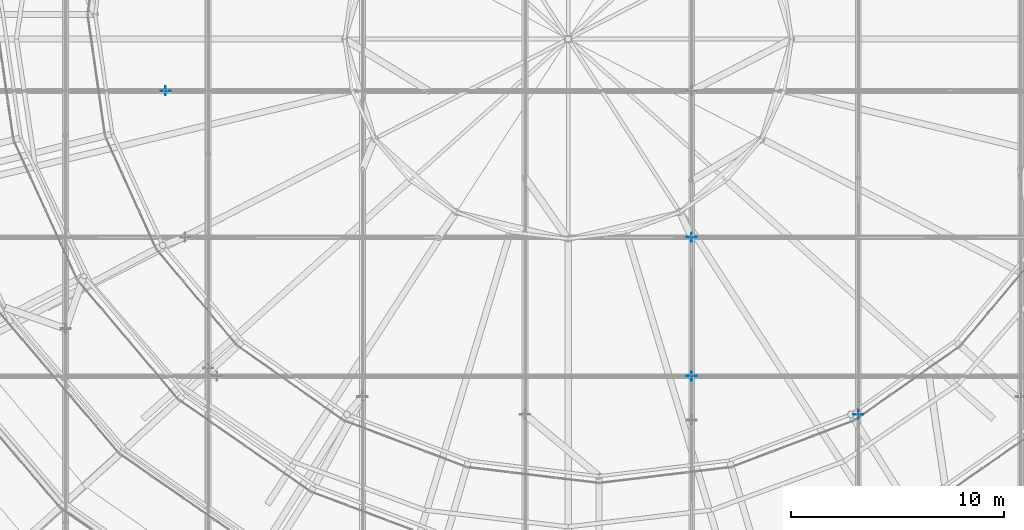
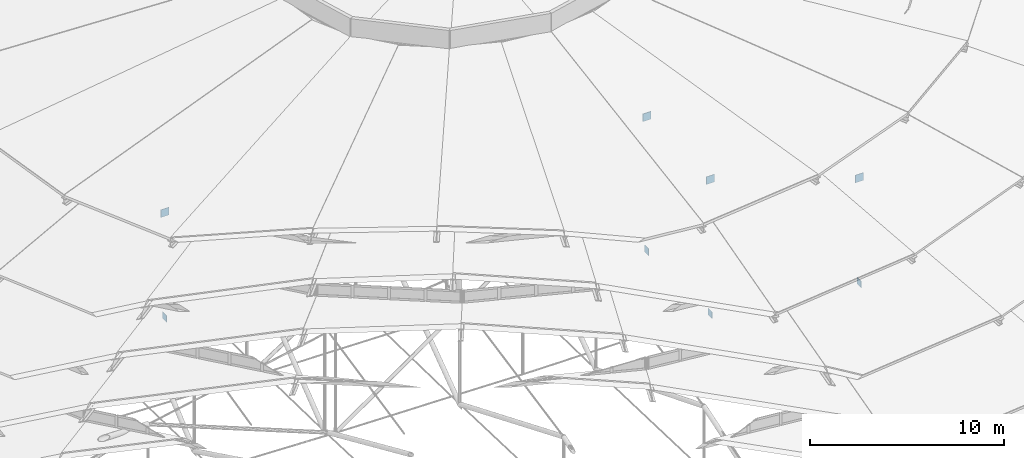
# One storey, part 162 of 173: 8 plates.
"""IFC4 building model written with IfcOpenShell, lengths in metres."""

import ifcopenshell
import ifcopenshell.guid

model = None  # the IFC model being written
_history = None  # IfcOwnerHistory: only IFC2X3 demands one
_inside = {}  # id of a spatial element -> (the spatial element, [elements in it])
_under = {}  # id of a project, library or spatial element -> (it, [spatial elements below it])
_declared = {}  # id of a project -> (the project, [libraries it declares])
_typed = {}  # id of a type object -> (the type object, [elements of that type])
_made_of = {}  # id of a material, layer set ... -> (it, [elements and type objects made of it])


def new_model(schema):
    """Start an empty IFC model of exactly this schema.

    Asked for "IFC4X3", IfcOpenShell would pick the latest addendum, in which some entities
    have other attributes; the version numbers below select the first issue.
    IFC2X3 requires an IfcOwnerHistory on every rooted entity: one is made here for all.
    """
    global model, _history
    if schema == "IFC4X3":
        model = ifcopenshell.file(schema_version=(4, 3, 0, 0))
    else:
        model = ifcopenshell.file(schema=schema)
    _inside.clear()
    _under.clear()
    _declared.clear()
    _typed.clear()
    _made_of.clear()
    _history = None
    if model.schema == "IFC2X3":
        org = make("IfcOrganization", Name="unknown")
        user = make(
            "IfcPersonAndOrganization",
            ThePerson=make("IfcPerson", FamilyName="unknown"),
            TheOrganization=org,
        )
        app = make(
            "IfcApplication",
            ApplicationDeveloper=org,
            Version="unknown",
            ApplicationFullName="unknown",
            ApplicationIdentifier="unknown",
        )
        _history = make(
            "IfcOwnerHistory",
            OwningUser=user,
            OwningApplication=app,
            ChangeAction="ADDED",
            CreationDate=0,
        )
    return model


def make(cls, **values):
    """One entity of the class cls with the attributes given. An attribute that is None is left unset."""
    return model.create_entity(
        cls, **{name: value for name, value in values.items() if value is not None}
    )


def rooted(cls, **values):
    """An entity with a GlobalId (a new one), such as an element, a storey or a relation."""
    return make(cls, GlobalId=ifcopenshell.guid.new(), OwnerHistory=_history, **values)


def si_unit(unit_type, name, prefix=None):
    """IfcSIUnit, for example si_unit("LENGTHUNIT", "METRE", prefix="MILLI")."""
    return make("IfcSIUnit", UnitType=unit_type, Prefix=prefix, Name=name)


def assignment(units):
    """IfcUnitAssignment: the units of a project."""
    return None if units is None else make("IfcUnitAssignment", Units=units)


def point(xyz):
    """IfcCartesianPoint."""
    return None if xyz is None else make("IfcCartesianPoint", Coordinates=xyz)


def direction(xyz):
    """IfcDirection."""
    return None if xyz is None else make("IfcDirection", DirectionRatios=xyz)


def frame(location, z_axis=None, x_axis=None):
    """IfcAxis2Placement3D, a coordinate frame: its origin and axes. An axis left out is left unset."""
    return make(
        "IfcAxis2Placement3D",
        Location=point(location),
        Axis=direction(z_axis),
        RefDirection=direction(x_axis),
    )


def frame_2d(location, x_axis=None):
    """IfcAxis2Placement2D, a coordinate frame in the plane: its origin and x axis."""
    return make(
        "IfcAxis2Placement2D", Location=point(location), RefDirection=direction(x_axis)
    )


def origin():
    """The frame at (0, 0, 0) with its axes left unset."""
    return frame((0.0, 0.0, 0.0))


def origin_2d():
    """The frame at (0, 0) in the plane with its x axis left unset."""
    return frame_2d((0.0, 0.0))


def place(relative_to, where):
    """IfcLocalPlacement: puts the frame where relative to a parent placement (None: the world)."""
    return make(
        "IfcLocalPlacement", PlacementRelTo=relative_to, RelativePlacement=where
    )


def context(
    kind, dimensions, precision=None, world=None, true_north=None, identifier=None
):
    """IfcGeometricRepresentationContext, for example the 3D "Model" context."""
    return make(
        "IfcGeometricRepresentationContext",
        ContextIdentifier=identifier,
        ContextType=kind,
        CoordinateSpaceDimension=dimensions,
        Precision=precision,
        WorldCoordinateSystem=world,
        TrueNorth=true_north,
    )


def subcontext(parent, identifier, kind, view, scale=None):
    """IfcGeometricRepresentationSubContext, for example "Body" below "Model"."""
    return make(
        "IfcGeometricRepresentationSubContext",
        ContextIdentifier=identifier,
        ContextType=kind,
        ParentContext=parent,
        TargetScale=scale,
        TargetView=view,
    )


def project(units=None, contexts=None):
    """IfcProject with its units and contexts."""
    return rooted(
        "IfcProject",
        Name="project",
        RepresentationContexts=contexts,
        UnitsInContext=assignment(units),
    )


def spatial(cls, under=None, at=None, **own):
    """A site, building, storey or space (cls), placed at a placement, below another one or the project."""
    s = rooted(cls, ObjectPlacement=at, **own)
    if under is not None:
        _under.setdefault(under.id(), (under, []))[1].append(s)
    return s


def profile(cls, at=None, kind="AREA", **sizes):
    """A parametric profile (cls). Its sizes go by their IFC names, for example OverallWidth=200.0."""
    return make(cls, ProfileType=kind, Position=at, **sizes)


def rectangle(**sizes):
    """IfcRectangleProfileDef."""
    return profile("IfcRectangleProfileDef", **sizes)


def extrude(swept, where, along, depth):
    """IfcExtrudedAreaSolid: the profile swept, set in the frame where, extruded along a direction by depth."""
    return make(
        "IfcExtrudedAreaSolid",
        SweptArea=swept,
        Position=where,
        ExtrudedDirection=direction(along),
        Depth=depth,
    )


def shape(context_of_items, identifier, shape_type, items):
    """IfcShapeRepresentation: the items that make up one representation, for example the "Body"."""
    return make(
        "IfcShapeRepresentation",
        ContextOfItems=context_of_items,
        RepresentationIdentifier=identifier,
        RepresentationType=shape_type,
        Items=items,
    )


def material(Name=None, Category=None):
    """IfcMaterial."""
    return make("IfcMaterial", Name=Name, Category=Category)


def layer(
    of_material, thickness, ventilated=None, Name=None, Category=None, Priority=None
):
    """IfcMaterialLayer: one layer of a wall or slab, of a material (None: an air gap)."""
    return make(
        "IfcMaterialLayer",
        Material=of_material,
        LayerThickness=thickness,
        IsVentilated=ventilated,
        Name=Name,
        Category=Category,
        Priority=Priority,
    )


def layer_set(layers, Name=None):
    """IfcMaterialLayerSet."""
    return make("IfcMaterialLayerSet", MaterialLayers=layers, LayerSetName=Name)


def made_of(thing, what):
    """Note that an element or type object is made of a material, layer set ...; save() writes the relation."""
    if what is not None:
        _made_of.setdefault(what.id(), (what, []))[1].append(thing)
    return thing


def type_object(cls, material=None, **own):
    """A type object (cls), such as IfcWallType, which elements share."""
    return made_of(rooted(cls, **own), material)


def element(
    cls,
    number,
    at=None,
    inside=None,
    cuts=None,
    type_object=None,
    material=None,
    context=None,
    identifier="Body",
    shape_type=None,
    held_by="IfcProductDefinitionShape",
    body=None,
    shapes=None,
    **own,
):
    """One element of the class cls, such as IfcWall. Its Tag is "e" and its number.

    at: its placement. inside: the storey or other place that contains it. cuts: it is an
    opening in that element (IfcRelVoidsElement). A single representation is given by context,
    identifier, shape_type and body (its items); several are given by shapes. held_by: the class
    of the entity that holds the representations. save() writes the other relations.
    """
    e = rooted(cls, Tag="e%d" % number, ObjectPlacement=at, **own)
    if body is not None:
        shapes = [shape(context, identifier, shape_type, body)]
    if shapes is not None:
        e.Representation = make(held_by, Representations=shapes)
    if inside is not None:
        _inside.setdefault(inside.id(), (inside, []))[1].append(e)
    if cuts is not None:
        rooted(
            "IfcRelVoidsElement", RelatingBuildingElement=cuts, RelatedOpeningElement=e
        )
    if type_object is not None:
        _typed.setdefault(type_object.id(), (type_object, []))[1].append(e)
    return made_of(e, material)


def aggregate(whole, parts):
    """IfcRelAggregates: a whole, such as a stair, and the parts it consists of."""
    return rooted("IfcRelAggregates", RelatingObject=whole, RelatedObjects=parts)


def save(model, path):
    """Write the relations noted so far, then the file.

    IfcRelAggregates (storeys below a building ...), IfcRelContainedInSpatialStructure (elements
    in a storey), IfcRelDefinesByType, IfcRelAssociatesMaterial and IfcRelDeclares: one each for
    every whole, place, type object, material and project.
    """
    for whole, parts in _under.values():
        aggregate(whole, parts)
    for where, things in _inside.values():
        rooted(
            "IfcRelContainedInSpatialStructure",
            RelatedElements=things,
            RelatingStructure=where,
        )
    for kind, things in _typed.values():
        rooted("IfcRelDefinesByType", RelatedObjects=things, RelatingType=kind)
    for what, things in _made_of.values():
        rooted("IfcRelAssociatesMaterial", RelatedObjects=things, RelatingMaterial=what)
    for by, libraries in _declared.values():
        rooted("IfcRelDeclares", RelatingContext=by, RelatedDefinitions=libraries)
    model.write(path)


model = new_model("IFC4")

# Units and contexts
model_context = context("Model", 3, precision=1e-05, world=origin(), true_north=direction((0.0, 1.0)))
body_context = subcontext(model_context, "Body", "Model", "MODEL_VIEW")
ifc_project = project(units=[si_unit("LENGTHUNIT", "METRE"), si_unit("AREAUNIT", "SQUARE_METRE"), si_unit("VOLUMEUNIT", "CUBIC_METRE"), si_unit("PLANEANGLEUNIT", "RADIAN"), si_unit("MASSUNIT", "GRAM", prefix="KILO")], contexts=[model_context])

# Site, building, storey
site_placement = place(None, origin())
site = spatial("IfcSite", under=ifc_project, at=site_placement, CompositionType="ELEMENT")
building_placement = place(site_placement, origin())
building = spatial("IfcBuilding", under=site, at=building_placement, Name="Glasvene Arena", CompositionType="ELEMENT")
storey_placement = place(building_placement, frame((0.0, 0.0, 28.800048828125)))
storey = spatial("IfcBuildingStorey", under=building, at=storey_placement, Name="RF", CompositionType="ELEMENT", Elevation=28.800048828125)

# Plates
ifc_material = material(Name="Steel S355J2", Category="steel")
ifc_layer_1 = layer(ifc_material, 0.031982421875)
ifc_layer_set_1 = layer_set([ifc_layer_1], Name="Steel S355J2")
plate_type_1 = type_object("IfcPlateType", Name="PL-GUSSET-32", PredefinedType="USERDEFINED", material=ifc_layer_set_1)
for number, where, z_axis, x_axis, name in (
    (1, (99.82177734375, 50.777099609375, 4.23291015625), (0.0, 0.0, 1.0), (1.0, 0.0, 0.0), "Cable-node clamp gusset plate CG-NS04-02"),
    (2, (92.0, 52.5703125, 5.780029296875), (0.0, 0.0, 1.0), (1.0, 0.0, 0.0), "Cable-node clamp gusset plate CG-EW01-04"),
    (3, (92.0, 59.09423828125, 5.780029296875), (0.0, 0.0, 1.0), (1.0, 0.0, 0.0), "Cable-node clamp gusset plate CG-EW02-04"),
    (4, (67.307861328125, 65.96044921875, 4.23291015625), (0.0, 0.0, 1.0), (1.0, 0.0, 0.0), "Cable-node clamp gusset plate CG-EW03-02"),
):
    element("IfcPlate", number, at=place(storey_placement, frame(where, z_axis=z_axis, x_axis=x_axis)), inside=storey, type_object=plate_type_1, Name=name, ObjectType="GUSSET PLATE", PredefinedType="USERDEFINED", context=body_context, shape_type="SweptSolid", body=[
        extrude(rectangle(XDim=0.47998046875, YDim=0.031982421875, at=origin_2d()), origin(), (0.0, 0.0, 1.0), 0.47998046875),
    ])
ifc_layer_2 = layer(ifc_material, 0.02001953125)
ifc_layer_set_2 = layer_set([ifc_layer_2], Name="Steel S355J2")
plate_type_2 = type_object("IfcPlateType", Name="PL-STIFF-20", PredefinedType="USERDEFINED", material=ifc_layer_set_2)
for number, where, z_axis, x_axis, name in (
    (5, (99.82177734375, 50.777099609375, -2.322509765625), (0.0, 0.0, 1.0), (1.0, 0.0, 0.0), "Lower cable clamp stiffener plate CS-NS04-02"),
    (6, (92.0, 52.5703125, -2.610107421875), (0.0, 0.0, 1.0), (1.0, 0.0, 0.0), "Lower cable clamp stiffener plate CS-EW01-04"),
    (7, (92.0, 59.09423828125, -2.610107421875), (0.0, 0.0, 1.0), (1.0, 0.0, 0.0), "Lower cable clamp stiffener plate CS-EW02-04"),
    (8, (67.307861328125, 65.96044921875, -2.322509765625), (0.0, 0.0, 1.0), (1.0, 0.0, 0.0), "Lower cable clamp stiffener plate CS-EW03-02"),
):
    element("IfcPlate", number, at=place(storey_placement, frame(where, z_axis=z_axis, x_axis=x_axis)), inside=storey, type_object=plate_type_2, Name=name, ObjectType="GUSSET PLATE", PredefinedType="USERDEFINED", context=body_context, shape_type="SweptSolid", body=[
        extrude(rectangle(XDim=0.02001953125, YDim=0.419921875, at=origin_2d()), origin(), (0.0, 0.0, 1.0), 0.419921875),
    ])

save(model, "model.ifc")
